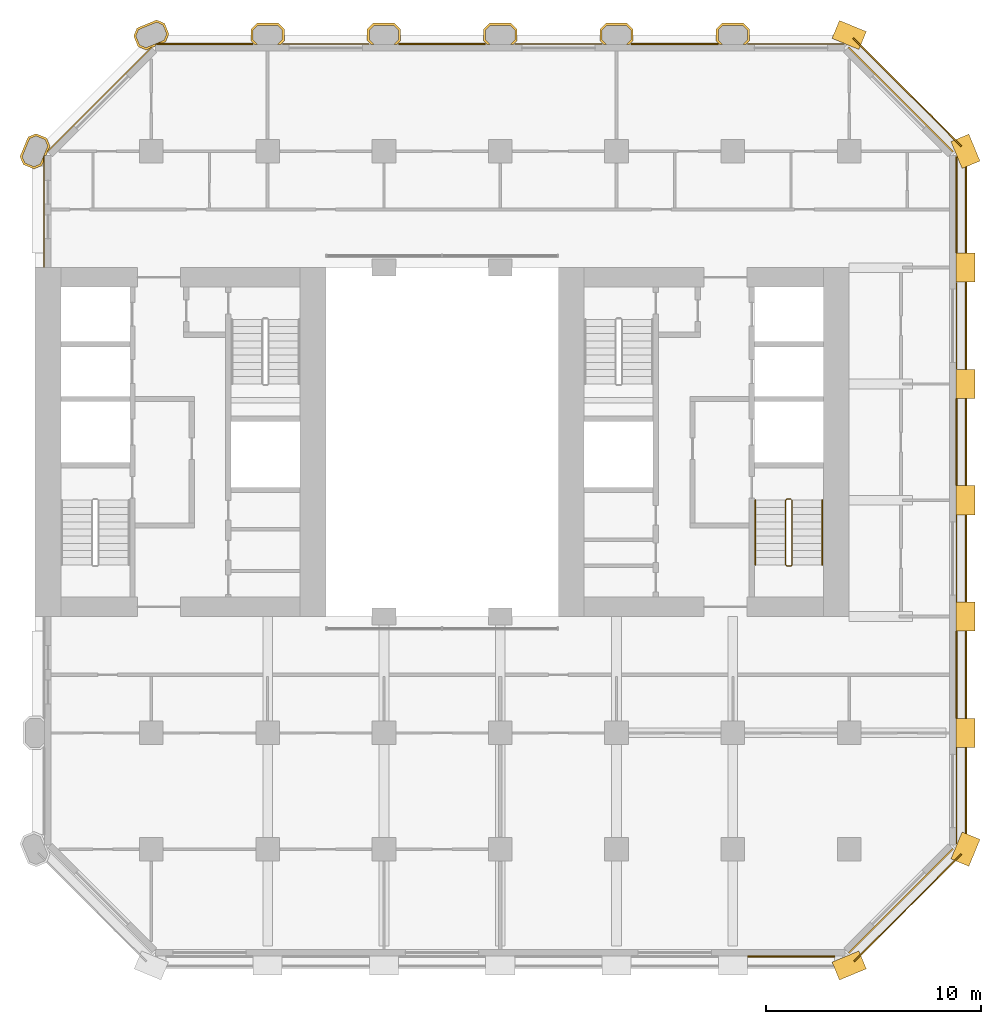
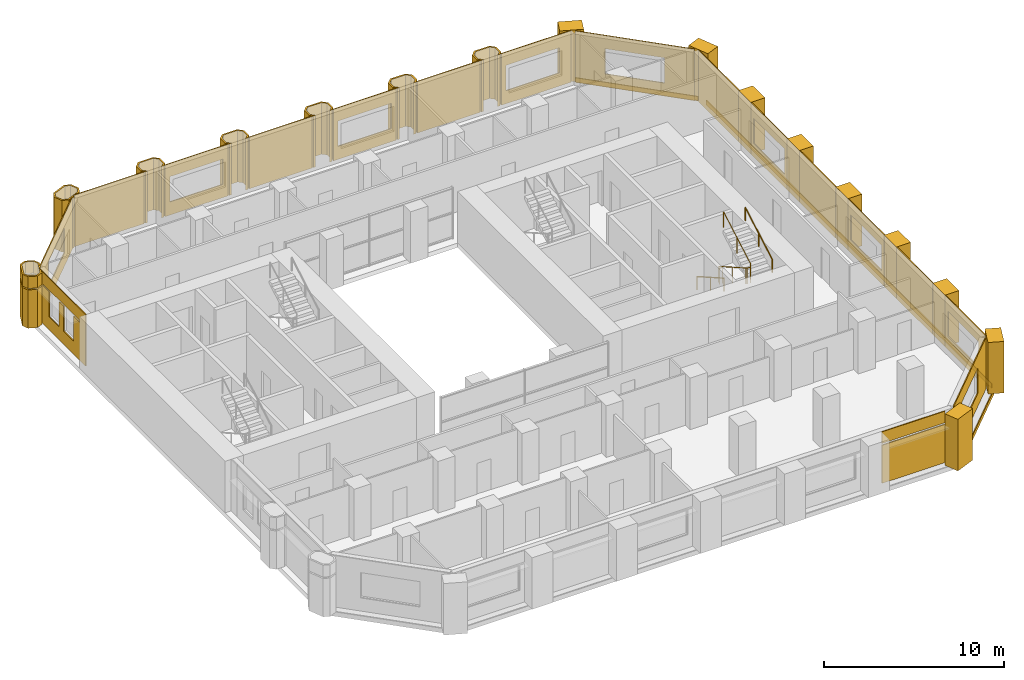
# One storey, part 13 of 13: 38 coverings, 3 railings.
"""IFC4 building model written with IfcOpenShell, lengths in metres."""

import ifcopenshell
import ifcopenshell.guid

model = None  # the IFC model being written
_history = None  # IfcOwnerHistory: only IFC2X3 demands one
_inside = {}  # id of a spatial element -> (the spatial element, [elements in it])
_under = {}  # id of a project, library or spatial element -> (it, [spatial elements below it])
_declared = {}  # id of a project -> (the project, [libraries it declares])
_typed = {}  # id of a type object -> (the type object, [elements of that type])
_made_of = {}  # id of a material, layer set ... -> (it, [elements and type objects made of it])


def new_model(schema):
    """Start an empty IFC model of exactly this schema.

    Asked for "IFC4X3", IfcOpenShell would pick the latest addendum, in which some entities
    have other attributes; the version numbers below select the first issue.
    IFC2X3 requires an IfcOwnerHistory on every rooted entity: one is made here for all.
    """
    global model, _history
    if schema == "IFC4X3":
        model = ifcopenshell.file(schema_version=(4, 3, 0, 0))
    else:
        model = ifcopenshell.file(schema=schema)
    _inside.clear()
    _under.clear()
    _declared.clear()
    _typed.clear()
    _made_of.clear()
    _history = None
    if model.schema == "IFC2X3":
        org = make("IfcOrganization", Name="unknown")
        user = make(
            "IfcPersonAndOrganization",
            ThePerson=make("IfcPerson", FamilyName="unknown"),
            TheOrganization=org,
        )
        app = make(
            "IfcApplication",
            ApplicationDeveloper=org,
            Version="unknown",
            ApplicationFullName="unknown",
            ApplicationIdentifier="unknown",
        )
        _history = make(
            "IfcOwnerHistory",
            OwningUser=user,
            OwningApplication=app,
            ChangeAction="ADDED",
            CreationDate=0,
        )
    return model


def make(cls, **values):
    """One entity of the class cls with the attributes given. An attribute that is None is left unset."""
    return model.create_entity(
        cls, **{name: value for name, value in values.items() if value is not None}
    )


def rooted(cls, **values):
    """An entity with a GlobalId (a new one), such as an element, a storey or a relation."""
    return make(cls, GlobalId=ifcopenshell.guid.new(), OwnerHistory=_history, **values)


def si_unit(unit_type, name, prefix=None):
    """IfcSIUnit, for example si_unit("LENGTHUNIT", "METRE", prefix="MILLI")."""
    return make("IfcSIUnit", UnitType=unit_type, Prefix=prefix, Name=name)


def assignment(units):
    """IfcUnitAssignment: the units of a project."""
    return None if units is None else make("IfcUnitAssignment", Units=units)


def point(xyz):
    """IfcCartesianPoint."""
    return None if xyz is None else make("IfcCartesianPoint", Coordinates=xyz)


def direction(xyz):
    """IfcDirection."""
    return None if xyz is None else make("IfcDirection", DirectionRatios=xyz)


def frame(location, z_axis=None, x_axis=None):
    """IfcAxis2Placement3D, a coordinate frame: its origin and axes. An axis left out is left unset."""
    return make(
        "IfcAxis2Placement3D",
        Location=point(location),
        Axis=direction(z_axis),
        RefDirection=direction(x_axis),
    )


def frame_2d(location, x_axis=None):
    """IfcAxis2Placement2D, a coordinate frame in the plane: its origin and x axis."""
    return make(
        "IfcAxis2Placement2D", Location=point(location), RefDirection=direction(x_axis)
    )


def origin():
    """The frame at (0, 0, 0) with its axes left unset."""
    return frame((0.0, 0.0, 0.0))


def origin_2d():
    """The frame at (0, 0) in the plane with its x axis left unset."""
    return frame_2d((0.0, 0.0))


def place(relative_to, where):
    """IfcLocalPlacement: puts the frame where relative to a parent placement (None: the world)."""
    return make(
        "IfcLocalPlacement", PlacementRelTo=relative_to, RelativePlacement=where
    )


def context(
    kind, dimensions, precision=None, world=None, true_north=None, identifier=None
):
    """IfcGeometricRepresentationContext, for example the 3D "Model" context."""
    return make(
        "IfcGeometricRepresentationContext",
        ContextIdentifier=identifier,
        ContextType=kind,
        CoordinateSpaceDimension=dimensions,
        Precision=precision,
        WorldCoordinateSystem=world,
        TrueNorth=true_north,
    )


def subcontext(parent, identifier, kind, view, scale=None):
    """IfcGeometricRepresentationSubContext, for example "Body" below "Model"."""
    return make(
        "IfcGeometricRepresentationSubContext",
        ContextIdentifier=identifier,
        ContextType=kind,
        ParentContext=parent,
        TargetScale=scale,
        TargetView=view,
    )


def project(units=None, contexts=None):
    """IfcProject with its units and contexts."""
    return rooted(
        "IfcProject",
        Name="project",
        RepresentationContexts=contexts,
        UnitsInContext=assignment(units),
    )


def spatial(cls, under=None, at=None, **own):
    """A site, building, storey or space (cls), placed at a placement, below another one or the project."""
    s = rooted(cls, ObjectPlacement=at, **own)
    if under is not None:
        _under.setdefault(under.id(), (under, []))[1].append(s)
    return s


def polyline(points):
    """IfcPolyline through the points."""
    return make("IfcPolyline", Points=[point(p) for p in points])


def profile(cls, at=None, kind="AREA", **sizes):
    """A parametric profile (cls). Its sizes go by their IFC names, for example OverallWidth=200.0."""
    return make(cls, ProfileType=kind, Position=at, **sizes)


def rectangle(**sizes):
    """IfcRectangleProfileDef."""
    return profile("IfcRectangleProfileDef", **sizes)


def circle(**sizes):
    """IfcCircleProfileDef."""
    return profile("IfcCircleProfileDef", **sizes)


def outline(outer, holes=None, kind="AREA"):
    """IfcArbitraryClosedProfileDef: a profile drawn as a closed curve; with holes, ...WithVoids."""
    if holes is None:
        return make("IfcArbitraryClosedProfileDef", ProfileType=kind, OuterCurve=outer)
    return make(
        "IfcArbitraryProfileDefWithVoids",
        ProfileType=kind,
        OuterCurve=outer,
        InnerCurves=holes,
    )


def extrude(swept, where, along, depth):
    """IfcExtrudedAreaSolid: the profile swept, set in the frame where, extruded along a direction by depth."""
    return make(
        "IfcExtrudedAreaSolid",
        SweptArea=swept,
        Position=where,
        ExtrudedDirection=direction(along),
        Depth=depth,
    )


def shape(context_of_items, identifier, shape_type, items):
    """IfcShapeRepresentation: the items that make up one representation, for example the "Body"."""
    return make(
        "IfcShapeRepresentation",
        ContextOfItems=context_of_items,
        RepresentationIdentifier=identifier,
        RepresentationType=shape_type,
        Items=items,
    )


def material(Name=None, Category=None):
    """IfcMaterial."""
    return make("IfcMaterial", Name=Name, Category=Category)


def layer(
    of_material, thickness, ventilated=None, Name=None, Category=None, Priority=None
):
    """IfcMaterialLayer: one layer of a wall or slab, of a material (None: an air gap)."""
    return make(
        "IfcMaterialLayer",
        Material=of_material,
        LayerThickness=thickness,
        IsVentilated=ventilated,
        Name=Name,
        Category=Category,
        Priority=Priority,
    )


def layer_set(layers, Name=None):
    """IfcMaterialLayerSet."""
    return make("IfcMaterialLayerSet", MaterialLayers=layers, LayerSetName=Name)


def made_of(thing, what):
    """Note that an element or type object is made of a material, layer set ...; save() writes the relation."""
    if what is not None:
        _made_of.setdefault(what.id(), (what, []))[1].append(thing)
    return thing


def type_object(cls, material=None, **own):
    """A type object (cls), such as IfcWallType, which elements share."""
    return made_of(rooted(cls, **own), material)


def element(
    cls,
    number,
    at=None,
    inside=None,
    cuts=None,
    type_object=None,
    material=None,
    context=None,
    identifier="Body",
    shape_type=None,
    held_by="IfcProductDefinitionShape",
    body=None,
    shapes=None,
    **own,
):
    """One element of the class cls, such as IfcWall. Its Tag is "e" and its number.

    at: its placement. inside: the storey or other place that contains it. cuts: it is an
    opening in that element (IfcRelVoidsElement). A single representation is given by context,
    identifier, shape_type and body (its items); several are given by shapes. held_by: the class
    of the entity that holds the representations. save() writes the other relations.
    """
    e = rooted(cls, Tag="e%d" % number, ObjectPlacement=at, **own)
    if body is not None:
        shapes = [shape(context, identifier, shape_type, body)]
    if shapes is not None:
        e.Representation = make(held_by, Representations=shapes)
    if inside is not None:
        _inside.setdefault(inside.id(), (inside, []))[1].append(e)
    if cuts is not None:
        rooted(
            "IfcRelVoidsElement", RelatingBuildingElement=cuts, RelatedOpeningElement=e
        )
    if type_object is not None:
        _typed.setdefault(type_object.id(), (type_object, []))[1].append(e)
    return made_of(e, material)


def aggregate(whole, parts):
    """IfcRelAggregates: a whole, such as a stair, and the parts it consists of."""
    return rooted("IfcRelAggregates", RelatingObject=whole, RelatedObjects=parts)


def save(model, path):
    """Write the relations noted so far, then the file.

    IfcRelAggregates (storeys below a building ...), IfcRelContainedInSpatialStructure (elements
    in a storey), IfcRelDefinesByType, IfcRelAssociatesMaterial and IfcRelDeclares: one each for
    every whole, place, type object, material and project.
    """
    for whole, parts in _under.values():
        aggregate(whole, parts)
    for where, things in _inside.values():
        rooted(
            "IfcRelContainedInSpatialStructure",
            RelatedElements=things,
            RelatingStructure=where,
        )
    for kind, things in _typed.values():
        rooted("IfcRelDefinesByType", RelatedObjects=things, RelatingType=kind)
    for what, things in _made_of.values():
        rooted("IfcRelAssociatesMaterial", RelatedObjects=things, RelatingMaterial=what)
    for by, libraries in _declared.values():
        rooted("IfcRelDeclares", RelatingContext=by, RelatedDefinitions=libraries)
    model.write(path)


model = new_model("IFC4")

# Units and contexts
model_context = context("Model", 3, precision=1e-05, world=origin(), true_north=direction((0.0, 1.0)))
body_context = subcontext(model_context, "Body", "Model", "MODEL_VIEW")
ifc_project = project(units=[si_unit("LENGTHUNIT", "METRE"), si_unit("AREAUNIT", "SQUARE_METRE"), si_unit("VOLUMEUNIT", "CUBIC_METRE"), si_unit("PLANEANGLEUNIT", "RADIAN"), si_unit("MASSUNIT", "GRAM", prefix="KILO")], contexts=[model_context])

# Site, building, storey
site_placement = place(None, origin())
site = spatial("IfcSite", under=ifc_project, at=site_placement, CompositionType="ELEMENT")
building_placement = place(site_placement, origin())
building = spatial("IfcBuilding", under=site, at=building_placement, Name="Tabaq Tower and Sports Hall", CompositionType="ELEMENT")
storey_placement = place(building_placement, frame((0.0, 0.0, 48.800048828125)))
storey = spatial("IfcBuildingStorey", under=building, at=storey_placement, Name="L10", CompositionType="ELEMENT", Elevation=48.800048828125)

# Coverings
ifc_material_1 = material(Name="Precast concrete C60/75", Category="concrete")
ifc_layer_1 = layer(ifc_material_1, 0.10009765625)
ifc_layer_set_1 = layer_set([ifc_layer_1], Name="Column cladding 100")
covering_type_1 = type_object("IfcCoveringType", Name="Column cladding 100", PredefinedType="CLADDING", material=ifc_layer_set_1)
covering_1_placement = place(storey_placement, origin())
element("IfcCovering", 1, at=covering_1_placement, inside=storey, type_object=covering_type_1, Name="Column cladding L10 PC-2H-O1", PredefinedType="CLADDING", context=body_context, shape_type="SweptSolid", body=[
    extrude(outline(polyline([(4.857421875, 37.186279296875), (4.7041015625, 37.556396484375), (5.080078125, 38.46435546875), (5.450439453125, 38.61767578125), (5.9423828125, 38.413818359375), (6.095947265625, 38.04345703125), (6.026123046875, 37.875), (5.9501953125, 37.799072265625), (5.9814453125, 37.767578125), (5.91796875, 37.614013671875), (5.849609375, 37.614013671875), (5.849609375, 37.55712890625), (5.789794921875, 37.55712890625), (5.789794921875, 37.304443359375), (5.7197265625, 37.1357421875), (5.349609375, 36.982421875), (4.857421875, 37.186279296875)]), holes=[polyline([(5.866455078125, 38.337646484375), (5.450439453125, 38.510009765625), (5.15625, 38.38818359375), (4.811767578125, 37.556396484375), (4.93359375, 37.26220703125), (5.349609375, 37.08984375), (5.643798828125, 37.2119140625), (5.98828125, 38.04345703125), (5.866455078125, 38.337646484375)])]), origin(), (0.0, 0.0, 1.0), 2.599853515625),
])
covering_2_placement = place(storey_placement, frame((0.0, 0.0, 2.699951171875)))
element("IfcCovering", 2, at=covering_2_placement, inside=storey, type_object=covering_type_1, Name="Column cladding L10 PC-2H-O1 2", PredefinedType="CLADDING", context=body_context, shape_type="SweptSolid", body=[
    extrude(outline(polyline([(4.857421875, 37.186279296875), (4.7041015625, 37.556396484375), (5.080078125, 38.46435546875), (5.450439453125, 38.61767578125), (5.9423828125, 38.413818359375), (6.095947265625, 38.04345703125), (6.026123046875, 37.875), (5.9501953125, 37.799072265625), (5.9814453125, 37.767578125), (5.91796875, 37.614013671875), (5.849609375, 37.614013671875), (5.849609375, 37.55712890625), (5.789794921875, 37.55712890625), (5.789794921875, 37.304443359375), (5.7197265625, 37.1357421875), (5.349609375, 36.982421875), (4.857421875, 37.186279296875)]), holes=[polyline([(5.866455078125, 38.337646484375), (5.450439453125, 38.510009765625), (5.15625, 38.38818359375), (4.811767578125, 37.556396484375), (4.93359375, 37.26220703125), (5.349609375, 37.08984375), (5.643798828125, 37.2119140625), (5.98828125, 38.04345703125), (5.866455078125, 38.337646484375)])]), origin(), (0.0, 0.0, 1.0), 0.800048828125),
])
covering_3_placement = place(storey_placement, origin())
element("IfcCovering", 3, at=covering_3_placement, inside=storey, type_object=covering_type_1, Name="Column cladding L10 PC-3I-O1", PredefinedType="CLADDING", context=body_context, shape_type="SweptSolid", body=[
    extrude(outline(polyline([(9.982421875, 43.149658203125), (10.1357421875, 43.519775390625), (11.04345703125, 43.895751953125), (11.413818359375, 43.742431640625), (11.61767578125, 43.25048828125), (11.46435546875, 42.880126953125), (11.295654296875, 42.810302734375), (11.04296875, 42.810302734375), (11.04296875, 42.750244140625), (10.986083984375, 42.750244140625), (10.986083984375, 42.68212890625), (10.83251953125, 42.618408203125), (10.801025390625, 42.64990234375), (10.72509765625, 42.573974609375), (10.556396484375, 42.504150390625), (10.186279296875, 42.657470703125), (9.982421875, 43.149658203125)]), holes=[polyline([(11.510009765625, 43.25048828125), (11.337646484375, 43.66650390625), (11.04345703125, 43.788330078125), (10.2119140625, 43.44384765625), (10.08984375, 43.149658203125), (10.26220703125, 42.733642578125), (10.556396484375, 42.61181640625), (11.38818359375, 42.956298828125), (11.510009765625, 43.25048828125)])]), origin(), (0.0, 0.0, 1.0), 3.5),
])
covering_4_placement = place(storey_placement, origin())
element("IfcCovering", 4, at=covering_4_placement, inside=storey, type_object=covering_type_1, Name="Column cladding L10 PC-4I-O1", PredefinedType="CLADDING", context=body_context, shape_type="SweptSolid", body=[
    extrude(outline(polyline([(15.42529296875, 43.46630859375), (15.708740234375, 43.749755859375), (16.69140625, 43.749755859375), (16.974609375, 43.46630859375), (16.974609375, 42.93359375), (16.791259765625, 42.750244140625), (16.650634765625, 42.750244140625), (16.875244140625, 42.974853515625), (16.875244140625, 43.425048828125), (16.650146484375, 43.650390625), (15.749755859375, 43.650390625), (15.524658203125, 43.425048828125), (15.524658203125, 42.974853515625), (15.749267578125, 42.750244140625), (15.608642578125, 42.750244140625), (15.42529296875, 42.93359375), (15.42529296875, 43.46630859375)])), origin(), (0.0, 0.0, 1.0), 3.5),
])
covering_5_placement = place(storey_placement, origin())
element("IfcCovering", 5, at=covering_5_placement, inside=storey, type_object=covering_type_1, Name="Column cladding L10 PC-5I-O1", PredefinedType="CLADDING", context=body_context, shape_type="SweptSolid", body=[
    extrude(outline(polyline([(20.8251953125, 43.46630859375), (21.108642578125, 43.749755859375), (22.09130859375, 43.749755859375), (22.374755859375, 43.46630859375), (22.374755859375, 42.93359375), (22.19140625, 42.750244140625), (22.05078125, 42.750244140625), (22.275390625, 42.974853515625), (22.275390625, 43.425048828125), (22.050048828125, 43.650390625), (21.14990234375, 43.650390625), (20.9248046875, 43.425048828125), (20.9248046875, 42.974853515625), (21.149169921875, 42.750244140625), (21.0087890625, 42.750244140625), (20.8251953125, 42.93359375), (20.8251953125, 43.46630859375)])), origin(), (0.0, 0.0, 1.0), 3.5),
])
covering_6_placement = place(storey_placement, origin())
element("IfcCovering", 6, at=covering_6_placement, inside=storey, type_object=covering_type_1, Name="Column cladding L10 PC-6I-O1", PredefinedType="CLADDING", context=body_context, shape_type="SweptSolid", body=[
    extrude(outline(polyline([(26.225341796875, 43.46630859375), (26.5087890625, 43.749755859375), (27.4912109375, 43.749755859375), (27.774658203125, 43.46630859375), (27.774658203125, 42.93359375), (27.59130859375, 42.750244140625), (27.45068359375, 42.750244140625), (27.67529296875, 42.974853515625), (27.67529296875, 43.425048828125), (27.4501953125, 43.650390625), (26.5498046875, 43.650390625), (26.32470703125, 43.425048828125), (26.32470703125, 42.974853515625), (26.54931640625, 42.750244140625), (26.40869140625, 42.750244140625), (26.225341796875, 42.93359375), (26.225341796875, 43.46630859375)])), origin(), (0.0, 0.0, 1.0), 3.5),
])
covering_7_placement = place(storey_placement, origin())
element("IfcCovering", 7, at=covering_7_placement, inside=storey, type_object=covering_type_1, Name="Column cladding L10 PC-7I-O1", PredefinedType="CLADDING", context=body_context, shape_type="SweptSolid", body=[
    extrude(outline(polyline([(31.625244140625, 43.46630859375), (31.90869140625, 43.749755859375), (32.891357421875, 43.749755859375), (33.1748046875, 43.46630859375), (33.1748046875, 42.93359375), (32.9912109375, 42.750244140625), (32.850830078125, 42.750244140625), (33.0751953125, 42.974853515625), (33.0751953125, 43.425048828125), (32.85009765625, 43.650390625), (31.949951171875, 43.650390625), (31.724609375, 43.425048828125), (31.724609375, 42.974853515625), (31.94921875, 42.750244140625), (31.80859375, 42.750244140625), (31.625244140625, 42.93359375), (31.625244140625, 43.46630859375)])), origin(), (0.0, 0.0, 1.0), 3.5),
])
covering_8_placement = place(storey_placement, origin())
element("IfcCovering", 8, at=covering_8_placement, inside=storey, type_object=covering_type_1, Name="Column cladding L10 PC-8I-O1", PredefinedType="CLADDING", context=body_context, shape_type="SweptSolid", body=[
    extrude(outline(polyline([(37.025390625, 43.46630859375), (37.30859375, 43.749755859375), (38.291259765625, 43.749755859375), (38.57470703125, 43.46630859375), (38.57470703125, 42.93359375), (38.391357421875, 42.750244140625), (38.250732421875, 42.750244140625), (38.475341796875, 42.974853515625), (38.475341796875, 43.425048828125), (38.250244140625, 43.650390625), (37.349853515625, 43.650390625), (37.124755859375, 43.425048828125), (37.124755859375, 42.974853515625), (37.349365234375, 42.750244140625), (37.208740234375, 42.750244140625), (37.025390625, 42.93359375), (37.025390625, 43.46630859375)])), origin(), (0.0, 0.0, 1.0), 3.5),
])
ifc_material_2 = material(Name="Precast concrete C60/75", Category="concrete")
ifc_layer_2 = layer(ifc_material_2, 0.06005859375)
ifc_layer_set_2 = layer_set([ifc_layer_2], Name="Edge beam cladding 60")
covering_type_2 = type_object("IfcCoveringType", Name="Edge beam cladding 60", PredefinedType="CLADDING", material=ifc_layer_set_2)
covering_9_placement = place(storey_placement, frame((43.432373046875, 0.18994140625, -0.300048828125), z_axis=(0.0, 0.0, 1.0), x_axis=(0.707106781187, 0.707106781187, 0.0)))
element("IfcCovering", 9, at=covering_9_placement, inside=storey, type_object=covering_type_2, Name="Edge beam cladding L10 2", PredefinedType="CLADDING", context=body_context, shape_type="SweptSolid", body=[
    extrude(rectangle(XDim=7.03955078125, YDim=0.06005859375, at=frame_2d((3.519775390625, 0.0))), origin(), (0.0, 0.0, 1.0), 0.300048828125),
])
covering_10_placement = place(storey_placement, frame((48.6298828125, 5.698486328125, -0.300048828125), z_axis=(0.0, 0.0, 1.0), x_axis=(0.0, 1.0, 0.0)))
element("IfcCovering", 10, at=covering_10_placement, inside=storey, type_object=covering_type_2, Name="Edge beam cladding L10 3", PredefinedType="CLADDING", context=body_context, shape_type="SweptSolid", body=[
    extrude(rectangle(XDim=31.802978515625, YDim=0.06005859375, at=frame_2d((15.9013671875, 0.0))), origin(), (0.0, 0.0, 1.0), 0.300048828125),
])
covering_11_placement = place(storey_placement, frame((48.41015625, 38.0322265625, -0.300048828125), z_axis=(0.0, 0.0, 1.0), x_axis=(-0.707106781187, 0.707106781187, 0.0)))
element("IfcCovering", 11, at=covering_11_placement, inside=storey, type_object=covering_type_2, Name="Edge beam cladding L10 4", PredefinedType="CLADDING", context=body_context, shape_type="SweptSolid", body=[
    extrude(rectangle(XDim=7.08837890625, YDim=0.06005859375, at=frame_2d((3.544189453125, 0.0))), origin(), (0.0, 0.0, 1.0), 0.300048828125),
])
ifc_material_3 = material(Name="White precast concrete C60/75", Category="concrete")
covering_type_3 = type_object("IfcCoveringType", Name="Pier cladding hung 1350x900", PredefinedType="CLADDING", material=ifc_material_3)
for number, where, z_axis, x_axis, name in (
    (12, (42.576416015625, -0.25830078125, 0.0), (0.0, 0.0, 1.0), (0.923893411637, 0.382649923473, 0.0), "Hung pier cladding 8/0"),
    (13, (43.82373046875, 42.941650390625, 0.0), (0.0, 0.0, 1.0), (-0.923893411637, 0.382649923473, 0.0), "Hung pier cladding 8/8"),
    (14, (48.341796875, 4.7763671875, 0.0), (0.0, 0.0, 1.0), (0.382649923473, 0.923893411637, 0.0), "Hung pier cladding 9/1"),
    (15, (48.60009765625, 10.125, 0.0), (0.0, 0.0, 1.0), (0.0, 1.0, 0.0), "Hung pier cladding 9/2"),
    (16, (48.60009765625, 15.52490234375, 0.0), (0.0, 0.0, 1.0), (0.0, 1.0, 0.0), "Hung pier cladding 9/3"),
):
    element("IfcCovering", number, at=place(storey_placement, frame(where, z_axis=z_axis, x_axis=x_axis)), inside=storey, type_object=covering_type_3, Name=name, PredefinedType="CLADDING", context=body_context, shape_type="SweptSolid", body=[
        extrude(rectangle(XDim=1.35009765625, YDim=0.89990234375, at=frame_2d((0.675048828125, 0.0))), origin(), (0.0, 0.0, 1.0), 3.5),
    ])
covering_12_placement = place(storey_placement, frame((48.60009765625, 20.925048828125, 0.0), z_axis=(0.0, 0.0, 1.0), x_axis=(0.0, 1.0, 0.0)))
element("IfcCovering", 17, at=covering_12_placement, inside=storey, type_object=covering_type_3, Name="Hung pier cladding 9/4", PredefinedType="CLADDING", context=body_context, shape_type="SweptSolid", body=[
    extrude(rectangle(XDim=1.349853515625, YDim=0.89990234375, at=frame_2d((0.6748046875, 0.0))), origin(), (0.0, 0.0, 1.0), 3.5),
])
covering_13_placement = place(storey_placement, frame((48.60009765625, 26.324951171875, 0.0), z_axis=(0.0, 0.0, 1.0), x_axis=(0.0, 1.0, 0.0)))
element("IfcCovering", 18, at=covering_13_placement, inside=storey, type_object=covering_type_3, Name="Hung pier cladding 9/5", PredefinedType="CLADDING", context=body_context, shape_type="SweptSolid", body=[
    extrude(rectangle(XDim=1.35009765625, YDim=0.89990234375, at=frame_2d((0.675048828125, 0.0))), origin(), (0.0, 0.0, 1.0), 3.5),
])
covering_14_placement = place(storey_placement, frame((48.60009765625, 31.72509765625, 0.0), z_axis=(0.0, 0.0, 1.0), x_axis=(0.0, 1.0, 0.0)))
element("IfcCovering", 19, at=covering_14_placement, inside=storey, type_object=covering_type_3, Name="Hung pier cladding 9/6", PredefinedType="CLADDING", context=body_context, shape_type="SweptSolid", body=[
    extrude(rectangle(XDim=1.349853515625, YDim=0.89990234375, at=frame_2d((0.6748046875, 0.0))), origin(), (0.0, 0.0, 1.0), 3.5),
])
covering_15_placement = place(storey_placement, frame((48.8583984375, 37.17626953125, 0.0), z_axis=(0.0, 0.0, 1.0), x_axis=(-0.382649923473, 0.923893411637, 0.0)))
element("IfcCovering", 20, at=covering_15_placement, inside=storey, type_object=covering_type_3, Name="Hung pier cladding 9/7", PredefinedType="CLADDING", context=body_context, shape_type="SweptSolid", body=[
    extrude(rectangle(XDim=1.35009765625, YDim=0.89990234375, at=frame_2d((0.675048828125, 0.0))), origin(), (0.0, 0.0, 1.0), 3.5),
])

# Railings
ifc_material_4 = material(Name="Stainless steel", Category="steel")
railing_type_1 = type_object("IfcRailingType", Name="Stair guard", PredefinedType="GUARDRAIL", material=ifc_material_4)
railing_1_placement = place(storey_placement, frame((40.5, 21.64990234375, 0.0)))
element("IfcRailing", 21, at=railing_1_placement, inside=storey, type_object=railing_type_1, Name="L10 ST3 stair guard 1", PredefinedType="GUARDRAIL", context=body_context, shape_type="SweptSolid", body=[
    extrude(circle(Radius=0.02392578125, at=origin_2d()), frame((0.0, 0.0, 1.076171875), z_axis=(-1.0, 0.0, 0.0), x_axis=(0.0, -1.0, 0.0)), (0.0, 0.0, 1.0), 0.199951171875),
    extrude(circle(Radius=0.02392578125, at=origin_2d()), frame((-0.199951171875, 0.0, 1.076171875), z_axis=(-0.246983470365, -0.245778672949, 0.937332389972), x_axis=(0.705375805398, -0.708833529934, 0.0)), (0.0, 0.0, 1.0), 0.20263671875),
    extrude(circle(Radius=0.02392578125, at=origin_2d()), frame((-0.25, -0.0498046875, 1.26611328125), z_axis=(0.0, -0.868782136927, 0.495194505781), x_axis=(1.0, 0.0, 0.0)), (0.0, 0.0, 1.0), 3.453125),
    extrude(circle(Radius=0.02392578125, at=origin_2d()), frame((-0.25, -3.0498046875, 2.97607421875), z_axis=(0.707106781187, -0.707106781187, 0.0), x_axis=(0.707106781187, 0.707106781187, 0.0)), (0.0, 0.0, 1.0), 0.07080078125),
    extrude(circle(Radius=0.02392578125, at=origin_2d()), frame((-0.199951171875, -3.099853515625, 2.97607421875), z_axis=(1.0, 0.0, 0.0), x_axis=(0.0, 1.0, 0.0)), (0.0, 0.0, 1.0), 0.199951171875),
    extrude(circle(Radius=0.02392578125, at=origin_2d()), frame((0.0, -3.099853515625, 2.97607421875), z_axis=(0.246910188598, 0.246910188598, 0.937054276727), x_axis=(-0.707106781187, 0.707106781187, 0.0)), (0.0, 0.0, 1.0), 0.20263671875),
    extrude(circle(Radius=0.02392578125, at=origin_2d()), frame((0.050048828125, -3.0498046875, 3.166015625), z_axis=(0.0, 0.868751719353, 0.495247867356), x_axis=(-1.0, 0.0, 0.0)), (0.0, 0.0, 1.0), 3.453125),
    extrude(circle(Radius=0.02099609375, at=origin_2d()), origin(), (0.0, 0.0, 1.0), 1.052001953125),
    extrude(circle(Radius=0.02099609375, at=origin_2d()), frame((-0.199951171875, 0.0, 0.0)), (0.0, 0.0, 1.0), 1.052001953125),
    extrude(circle(Radius=0.02099609375, at=origin_2d()), frame((-0.25, -0.0498046875, 0.18994140625)), (0.0, 0.0, 1.0), 1.052001953125),
    extrude(circle(Radius=0.02099609375, at=origin_2d()), frame((-0.25, -1.5498046875, 1.044921875)), (0.0, 0.0, 1.0), 1.052001953125),
    extrude(circle(Radius=0.02099609375, at=origin_2d()), frame((-0.25, -3.0498046875, 1.89990234375)), (0.0, 0.0, 1.0), 1.052001953125),
    extrude(circle(Radius=0.02099609375, at=origin_2d()), frame((-0.199951171875, -3.099853515625, 1.89990234375)), (0.0, 0.0, 1.0), 1.052001953125),
    extrude(circle(Radius=0.02099609375, at=origin_2d()), frame((0.0, -3.099853515625, 1.89990234375)), (0.0, 0.0, 1.0), 1.052001953125),
    extrude(circle(Radius=0.02099609375, at=origin_2d()), frame((0.050048828125, -3.0498046875, 2.08984375)), (0.0, 0.0, 1.0), 1.052001953125),
    extrude(circle(Radius=0.02099609375, at=origin_2d()), frame((0.050048828125, -1.5498046875, 2.94482421875)), (0.0, 0.0, 1.0), 1.052001953125),
    extrude(circle(Radius=0.02099609375, at=origin_2d()), frame((0.050048828125, -0.0498046875, 3.800048828125)), (0.0, 0.0, 1.0), 1.052001953125),
])
ifc_material_5 = material(Name="Stainless steel", Category="steel")
railing_type_2 = type_object("IfcRailingType", Name="Stair handrail", PredefinedType="HANDRAIL", material=ifc_material_5)
railing_2_placement = place(storey_placement, frame((38.85009765625, 21.60009765625, 0.18994140625)))
element("IfcRailing", 22, at=railing_2_placement, inside=storey, type_object=railing_type_2, Name="L10 ST3 stair handrail 1", PredefinedType="HANDRAIL", context=body_context, shape_type="SweptSolid", body=[
    extrude(circle(Radius=0.02392578125, at=origin_2d()), frame((0.0, 0.0, 0.8759765625), z_axis=(0.0, -0.868782136927, 0.495194505781), x_axis=(1.0, 0.0, 0.0)), (0.0, 0.0, 1.0), 3.453125),
    extrude(circle(Radius=0.02099609375, at=origin_2d()), origin(), (0.0, 0.0, 1.0), 0.851806640625),
    extrude(circle(Radius=0.02099609375, at=origin_2d()), frame((0.0, -1.5, 0.85498046875)), (0.0, 0.0, 1.0), 0.851806640625),
    extrude(circle(Radius=0.02099609375, at=origin_2d()), frame((0.0, -3.0, 1.7099609375)), (0.0, 0.0, 1.0), 0.851806640625),
])
railing_3_placement = place(storey_placement, frame((41.949951171875, 18.60009765625, 2.08984375)))
element("IfcRailing", 23, at=railing_3_placement, inside=storey, type_object=railing_type_2, Name="L10 ST3 stair handrail 2", PredefinedType="HANDRAIL", context=body_context, shape_type="SweptSolid", body=[
    extrude(circle(Radius=0.02392578125, at=origin_2d()), frame((0.0, 0.0, 0.8759765625), z_axis=(0.0, 0.868751719353, 0.495247867356), x_axis=(-1.0, 0.0, 0.0)), (0.0, 0.0, 1.0), 3.453125),
    extrude(circle(Radius=0.02099609375, at=origin_2d()), origin(), (0.0, 0.0, 1.0), 0.851806640625),
    extrude(circle(Radius=0.02099609375, at=origin_2d()), frame((0.0, 1.5, 0.85498046875)), (0.0, 0.0, 1.0), 0.851806640625),
    extrude(circle(Radius=0.02099609375, at=origin_2d()), frame((0.0, 3.0, 1.710205078125)), (0.0, 0.0, 1.0), 0.851806640625),
])

# Coverings
ifc_material_6 = material(Name="Precast concrete C60/75", Category="concrete")
ifc_layer_3 = layer(ifc_material_6, 0.06005859375)
ifc_layer_set_3 = layer_set([ifc_layer_3], Name="White precast cladding panel 60 C60/75")
covering_type_4 = type_object("IfcCoveringType", Name="White precast cladding panel 60 C60/75", PredefinedType="CLADDING", material=ifc_layer_set_3)
covering_16_placement = place(storey_placement, frame((38.485107421875, 0.419921875, 0.0), z_axis=(0.0, 0.0, 1.0), x_axis=(1.0, 0.0, 0.0)))
element("IfcCovering", 24, at=covering_16_placement, inside=storey, type_object=covering_type_4, Name="White precast cladding panel L10 wall00 11", PredefinedType="CLADDING", context=body_context, shape_type="SweptSolid", body=[
    extrude(rectangle(XDim=4.0498046875, YDim=0.06005859375, at=frame_2d((2.02490234375, 0.0))), origin(), (0.0, 0.0, 1.0), 2.58984375),
])
covering_17_placement = place(storey_placement, frame((38.485107421875, 0.419921875, 2.7099609375), z_axis=(0.0, 0.0, 1.0), x_axis=(1.0, 0.0, 0.0)))
element("IfcCovering", 25, at=covering_17_placement, inside=storey, type_object=covering_type_4, Name="White precast cladding panel L10 wall00 12", PredefinedType="CLADDING", context=body_context, shape_type="SweptSolid", body=[
    extrude(rectangle(XDim=4.0498046875, YDim=0.06005859375, at=frame_2d((2.02490234375, 0.0))), origin(), (0.0, 0.0, 1.0), 0.7900390625),
])
covering_18_placement = place(storey_placement, frame((43.177734375, 0.57177734375, 0.0), z_axis=(0.0, 0.0, 1.0), x_axis=(0.707106781187, 0.707106781187, 0.0)))
element("IfcCovering", 26, at=covering_18_placement, inside=storey, type_object=covering_type_4, Name="White precast cladding panel L10 wall01", PredefinedType="CLADDING", context=body_context, shape_type="SweptSolid", body=[
    extrude(outline(polyline([(0.0, 0.0), (6.85986328125, 0.0), (6.85986328125, 3.5), (0.0, 3.5), (0.0, 0.0)]), holes=[polyline([(1.7197265625, 0.889892578125), (1.7197265625, 2.60986328125), (5.139892578125, 2.60986328125), (5.139892578125, 0.889892578125), (1.7197265625, 0.889892578125)])]), frame((0.0, 0.030029296875, 0.0), z_axis=(0.0, -1.0, 0.0), x_axis=(1.0, 0.0, 0.0)), (0.0, 0.0, 1.0), 0.06005859375),
])
covering_19_placement = place(storey_placement, frame((48.179931640625, 5.64306640625, 0.0), z_axis=(0.0, 0.0, 1.0), x_axis=(0.0, 1.0, 0.0)))
element("IfcCovering", 27, at=covering_19_placement, inside=storey, type_object=covering_type_4, Name="White precast cladding panel L10 wall02", PredefinedType="CLADDING", context=body_context, shape_type="SweptSolid", body=[
    extrude(outline(polyline([(0.0, 0.0), (4.471923828125, 0.0), (4.471923828125, 3.5), (0.0, 3.5), (0.0, 0.0)]), holes=[polyline([(0.746826171875, 0.889892578125), (0.746826171875, 2.60986328125), (4.166748046875, 2.60986328125), (4.166748046875, 0.889892578125), (0.746826171875, 0.889892578125)])]), frame((0.0, 0.030029296875, 0.0), z_axis=(0.0, -1.0, 0.0), x_axis=(1.0, 0.0, 0.0)), (0.0, 0.0, 1.0), 0.06005859375),
])
covering_20_placement = place(storey_placement, frame((48.179931640625, 11.485107421875, 0.0), z_axis=(0.0, 0.0, 1.0), x_axis=(0.0, 1.0, 0.0)))
element("IfcCovering", 28, at=covering_20_placement, inside=storey, type_object=covering_type_4, Name="White precast cladding panel L10 wall02 2", PredefinedType="CLADDING", context=body_context, shape_type="SweptSolid", body=[
    extrude(rectangle(XDim=4.02978515625, YDim=0.06005859375, at=frame_2d((2.014892578125, 0.0))), origin(), (0.0, 0.0, 1.0), 3.5),
])
covering_21_placement = place(storey_placement, frame((48.179931640625, 16.885009765625, 0.0), z_axis=(0.0, 0.0, 1.0), x_axis=(0.0, 1.0, 0.0)))
element("IfcCovering", 29, at=covering_21_placement, inside=storey, type_object=covering_type_4, Name="White precast cladding panel L10 wall02 3", PredefinedType="CLADDING", context=body_context, shape_type="SweptSolid", body=[
    extrude(outline(polyline([(0.0, 0.0), (4.030029296875, 0.0), (4.030029296875, 3.5), (0.0, 3.5), (0.0, 0.0)]), holes=[polyline([(0.304931640625, 0.889892578125), (0.304931640625, 2.60986328125), (3.72509765625, 2.60986328125), (3.72509765625, 0.889892578125), (0.304931640625, 0.889892578125)])]), frame((0.0, 0.030029296875, 0.0), z_axis=(0.0, -1.0, 0.0), x_axis=(1.0, 0.0, 0.0)), (0.0, 0.0, 1.0), 0.06005859375),
])
covering_22_placement = place(storey_placement, frame((48.179931640625, 22.284912109375, 0.0), z_axis=(0.0, 0.0, 1.0), x_axis=(0.0, 1.0, 0.0)))
element("IfcCovering", 30, at=covering_22_placement, inside=storey, type_object=covering_type_4, Name="White precast cladding panel L10 wall02 4", PredefinedType="CLADDING", context=body_context, shape_type="SweptSolid", body=[
    extrude(rectangle(XDim=4.030029296875, YDim=0.06005859375, at=frame_2d((2.01513671875, 0.0))), origin(), (0.0, 0.0, 1.0), 3.5),
])
covering_23_placement = place(storey_placement, frame((48.179931640625, 27.68505859375, 0.0), z_axis=(0.0, 0.0, 1.0), x_axis=(0.0, 1.0, 0.0)))
element("IfcCovering", 31, at=covering_23_placement, inside=storey, type_object=covering_type_4, Name="White precast cladding panel L10 wall02 5", PredefinedType="CLADDING", context=body_context, shape_type="SweptSolid", body=[
    extrude(outline(polyline([(0.0, 0.0), (4.030029296875, 0.0), (4.030029296875, 3.5), (0.0, 3.5), (0.0, 0.0)]), holes=[polyline([(0.304931640625, 0.889892578125), (0.304931640625, 2.60986328125), (3.72509765625, 2.60986328125), (3.72509765625, 0.889892578125), (0.304931640625, 0.889892578125)])]), frame((0.0, 0.030029296875, 0.0), z_axis=(0.0, -1.0, 0.0), x_axis=(1.0, 0.0, 0.0)), (0.0, 0.0, 1.0), 0.06005859375),
])
covering_24_placement = place(storey_placement, frame((48.179931640625, 33.0849609375, 0.0), z_axis=(0.0, 0.0, 1.0), x_axis=(0.0, 1.0, 0.0)))
element("IfcCovering", 32, at=covering_24_placement, inside=storey, type_object=covering_type_4, Name="White precast cladding panel L10 wall02 6", PredefinedType="CLADDING", context=body_context, shape_type="SweptSolid", body=[
    extrude(rectangle(XDim=4.471923828125, YDim=0.06005859375, at=frame_2d((2.23583984375, 0.0))), origin(), (0.0, 0.0, 1.0), 3.5),
])
covering_25_placement = place(storey_placement, frame((48.0283203125, 37.77783203125, 0.0), z_axis=(0.0, 0.0, 1.0), x_axis=(-0.707124576528, 0.707088985397, 0.0)))
element("IfcCovering", 33, at=covering_25_placement, inside=storey, type_object=covering_type_4, Name="White precast cladding panel L10 wall03", PredefinedType="CLADDING", context=body_context, shape_type="SweptSolid", body=[
    extrude(outline(polyline([(0.0, 0.0), (6.859619140625, 0.0), (6.859619140625, 3.5), (0.0, 3.5), (0.0, 0.0)]), holes=[polyline([(1.7197265625, 0.889892578125), (1.7197265625, 2.60986328125), (5.139892578125, 2.60986328125), (5.139892578125, 0.889892578125), (1.7197265625, 0.889892578125)])]), frame((0.0, 0.030029296875, 0.0), z_axis=(0.0, -1.0, 0.0), x_axis=(1.0, 0.0, 0.0)), (0.0, 0.0, 1.0), 0.06005859375),
])
covering_26_placement = place(storey_placement, frame((42.956787109375, 42.780029296875, 0.0), z_axis=(0.0, 0.0, 1.0), x_axis=(-1.0, 0.0, 0.0)))
element("IfcCovering", 34, at=covering_26_placement, inside=storey, type_object=covering_type_4, Name="White precast cladding panel L10 wall04", PredefinedType="CLADDING", context=body_context, shape_type="SweptSolid", body=[
    extrude(outline(polyline([(0.0, 0.0), (4.4716796875, 0.0), (4.4716796875, 3.5), (0.0, 3.5), (0.0, 0.0)]), holes=[polyline([(0.746826171875, 0.889892578125), (0.746826171875, 2.60986328125), (4.166748046875, 2.60986328125), (4.166748046875, 0.889892578125), (0.746826171875, 0.889892578125)])]), frame((0.0, 0.030029296875, 0.0), z_axis=(0.0, -1.0, 0.0), x_axis=(1.0, 0.0, 0.0)), (0.0, 0.0, 1.0), 0.06005859375),
])
covering_27_placement = place(storey_placement, frame((37.114990234375, 42.780029296875, 0.0), z_axis=(0.0, 0.0, 1.0), x_axis=(-1.0, 0.0, 0.0)))
element("IfcCovering", 35, at=covering_27_placement, inside=storey, type_object=covering_type_4, Name="White precast cladding panel L10 wall04 2", PredefinedType="CLADDING", context=body_context, shape_type="SweptSolid", body=[
    extrude(rectangle(XDim=4.030029296875, YDim=0.06005859375, at=frame_2d((2.01513671875, 0.0))), origin(), (0.0, 0.0, 1.0), 3.5),
])
covering_28_placement = place(storey_placement, frame((31.715087890625, 42.780029296875, 0.0), z_axis=(0.0, 0.0, 1.0), x_axis=(-1.0, 0.0, 0.0)))
element("IfcCovering", 36, at=covering_28_placement, inside=storey, type_object=covering_type_4, Name="White precast cladding panel L10 wall04 3", PredefinedType="CLADDING", context=body_context, shape_type="SweptSolid", body=[
    extrude(outline(polyline([(0.0, 0.0), (4.030029296875, 0.0), (4.030029296875, 3.5), (0.0, 3.5), (0.0, 0.0)]), holes=[polyline([(0.304931640625, 0.889892578125), (0.304931640625, 2.60986328125), (3.72509765625, 2.60986328125), (3.72509765625, 0.889892578125), (0.304931640625, 0.889892578125)])]), frame((0.0, 0.030029296875, 0.0), z_axis=(0.0, -1.0, 0.0), x_axis=(1.0, 0.0, 0.0)), (0.0, 0.0, 1.0), 0.06005859375),
])
covering_29_placement = place(storey_placement, frame((26.31494140625, 42.780029296875, 0.0), z_axis=(0.0, 0.0, 1.0), x_axis=(-1.0, 0.0, 0.0)))
element("IfcCovering", 37, at=covering_29_placement, inside=storey, type_object=covering_type_4, Name="White precast cladding panel L10 wall04 4", PredefinedType="CLADDING", context=body_context, shape_type="SweptSolid", body=[
    extrude(rectangle(XDim=4.030029296875, YDim=0.06005859375, at=frame_2d((2.01513671875, 0.0))), origin(), (0.0, 0.0, 1.0), 3.5),
])
covering_30_placement = place(storey_placement, frame((20.9150390625, 42.780029296875, 0.0), z_axis=(0.0, 0.0, 1.0), x_axis=(-1.0, 0.0, 0.0)))
element("IfcCovering", 38, at=covering_30_placement, inside=storey, type_object=covering_type_4, Name="White precast cladding panel L10 wall04 5", PredefinedType="CLADDING", context=body_context, shape_type="SweptSolid", body=[
    extrude(outline(polyline([(0.0, 0.0), (4.030029296875, 0.0), (4.030029296875, 3.5), (0.0, 3.5), (0.0, 0.0)]), holes=[polyline([(0.304931640625, 0.889892578125), (0.304931640625, 2.60986328125), (3.72509765625, 2.60986328125), (3.72509765625, 0.889892578125), (0.304931640625, 0.889892578125)])]), frame((0.0, 0.030029296875, 0.0), z_axis=(0.0, -1.0, 0.0), x_axis=(1.0, 0.0, 0.0)), (0.0, 0.0, 1.0), 0.06005859375),
])
covering_31_placement = place(storey_placement, frame((15.514892578125, 42.780029296875, 0.0), z_axis=(0.0, 0.0, 1.0), x_axis=(-1.0, 0.0, 0.0)))
element("IfcCovering", 39, at=covering_31_placement, inside=storey, type_object=covering_type_4, Name="White precast cladding panel L10 wall04 6", PredefinedType="CLADDING", context=body_context, shape_type="SweptSolid", body=[
    extrude(rectangle(XDim=4.4716796875, YDim=0.06005859375, at=frame_2d((2.23583984375, 0.0))), origin(), (0.0, 0.0, 1.0), 3.5),
])
covering_32_placement = place(storey_placement, frame((10.822265625, 42.628173828125, 0.0), z_axis=(0.0, 0.0, 1.0), x_axis=(-0.707124576528, -0.707088985397, 0.0)))
element("IfcCovering", 40, at=covering_32_placement, inside=storey, type_object=covering_type_4, Name="White precast cladding panel L10 wall05", PredefinedType="CLADDING", context=body_context, shape_type="SweptSolid", body=[
    extrude(outline(polyline([(0.0, 0.0), (6.859619140625, 0.0), (6.859619140625, 3.5), (0.0, 3.5), (0.0, 0.0)]), holes=[polyline([(1.7197265625, 0.889892578125), (1.7197265625, 2.60986328125), (5.139892578125, 2.60986328125), (5.139892578125, 0.889892578125), (1.7197265625, 0.889892578125)])]), frame((0.0, 0.030029296875, 0.0), z_axis=(0.0, -1.0, 0.0), x_axis=(1.0, 0.0, 0.0)), (0.0, 0.0, 1.0), 0.06005859375),
])
covering_33_placement = place(storey_placement, frame((5.820068359375, 37.556884765625, 0.0), z_axis=(0.0, 0.0, 1.0), x_axis=(0.0, -1.0, 0.0)))
element("IfcCovering", 41, at=covering_33_placement, inside=storey, type_object=covering_type_4, Name="White precast cladding panel L10 wall06", PredefinedType="CLADDING", context=body_context, shape_type="SweptSolid", body=[
    extrude(outline(polyline([(0.0, 0.0), (5.156982421875, 0.0), (5.156982421875, 3.5), (0.0, 3.5), (0.0, 0.0)]), holes=[polyline([(1.096923828125, 2.58984375), (0.421875, 2.58984375), (0.421875, 2.7099609375), (4.491943359375, 2.7099609375), (4.491943359375, 2.58984375), (3.81689453125, 2.58984375), (3.81689453125, 0.889892578125), (2.69677734375, 0.889892578125), (2.69677734375, 2.58984375), (2.216796875, 2.58984375), (2.216796875, 0.889892578125), (1.096923828125, 0.889892578125), (1.096923828125, 2.58984375)])]), frame((0.0, 0.030029296875, 0.0), z_axis=(0.0, -1.0, 0.0), x_axis=(1.0, 0.0, 0.0)), (0.0, 0.0, 1.0), 0.06005859375),
])

save(model, "model.ifc")
